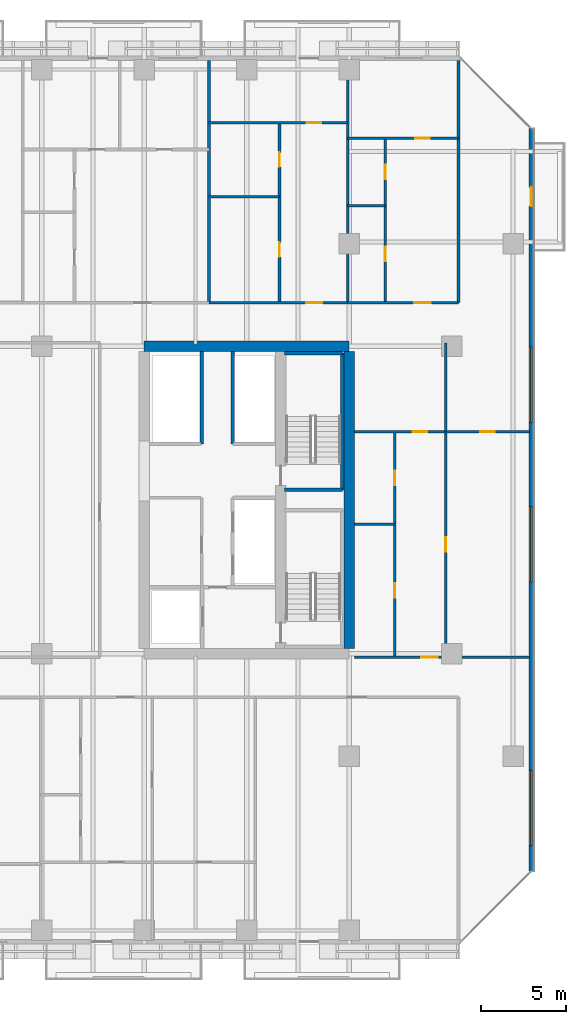
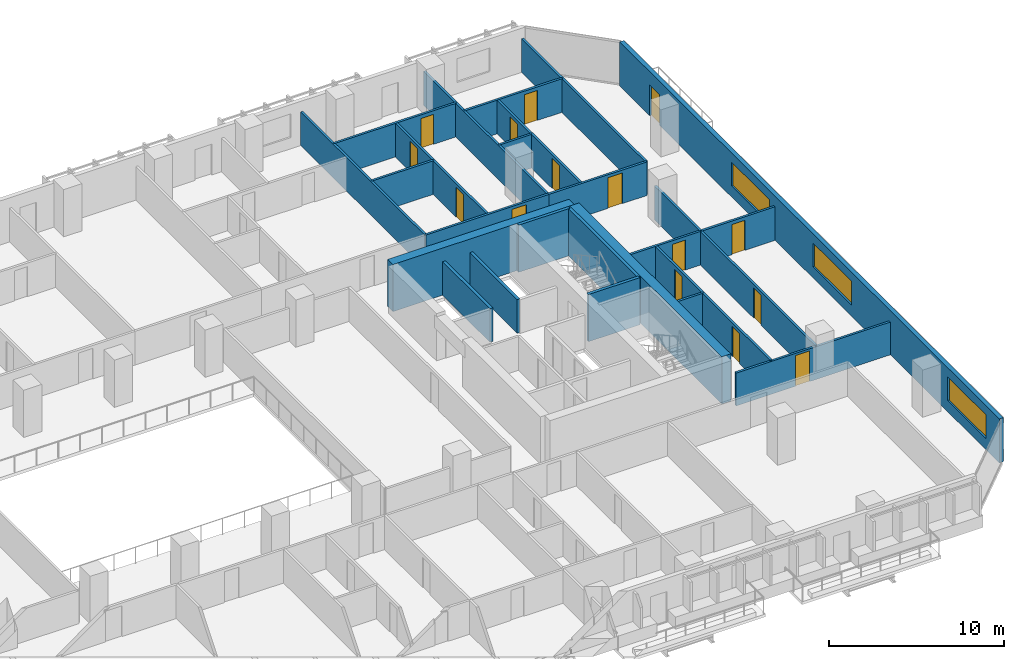
# One storey, part 23 of 33: 25 walls, 15 doors, 3 windows, 18 openings.
"""IFC4 building model written with IfcOpenShell, lengths in metres."""

from ifc_helpers import new_model, si_unit, direction, frame, frame_2d, origin, place, context, subcontext, project, spatial, rectangle, extrude, material, layer, layer_set, type_object, element, fill, save


model = new_model("IFC4")

# Units and contexts
model_context = context("Model", 3, precision=1e-05, world=origin(), true_north=direction((0.0, 1.0)))
body_context = subcontext(model_context, "Body", "Model", "MODEL_VIEW")
ifc_project = project(units=[si_unit("LENGTHUNIT", "METRE"), si_unit("AREAUNIT", "SQUARE_METRE"), si_unit("VOLUMEUNIT", "CUBIC_METRE"), si_unit("PLANEANGLEUNIT", "RADIAN"), si_unit("MASSUNIT", "GRAM", prefix="KILO")], contexts=[model_context])

# Site, building, storey
site_placement = place(None, origin())
site = spatial("IfcSite", under=ifc_project, at=site_placement, CompositionType="ELEMENT")
building_placement = place(site_placement, origin())
building = spatial("IfcBuilding", under=site, at=building_placement, Name="Tanjung Sevakor Pilgrim Tower", CompositionType="ELEMENT")
storey_placement = place(building_placement, frame((0.0, 0.0, 52.139892578125)))
storey = spatial("IfcBuildingStorey", under=building, at=storey_placement, Name="L14", CompositionType="ELEMENT", Elevation=52.139892578125)

# Walls
ifc_material_1 = material(Name="Concrete C60/75", Category="concrete")
ifc_layer_1 = layer(ifc_material_1, 0.60009765625)
ifc_layer_set_1 = layer_set([ifc_layer_1], Name="WALL-CW-600")
wall_type_1 = type_object("IfcWallType", Name="WALL-CW-600", PredefinedType="SHEAR", material=ifc_layer_set_1)
wall_1_placement = place(storey_placement, frame((90.0, 42.60009765625, 0.0), z_axis=(0.0, 0.0, 1.0), x_axis=(-1.0, 0.0, 0.0)))
element("IfcWall", 1, at=wall_1_placement, inside=storey, type_object=wall_type_1, Name="L14 E Core North Shear Wall", PredefinedType="SHEAR", context=body_context, shape_type="SweptSolid", body=[
    extrude(rectangle(XDim=12.0, YDim=0.60009765625, at=frame_2d((6.0, 0.0))), origin(), (0.0, 0.0, 1.0), 3.300048828125),
])
wall_2_placement = place(storey_placement, frame((90.0, 24.89990234375, 0.0), z_axis=(0.0, 0.0, 1.0), x_axis=(0.0, 1.0, 0.0)))
element("IfcWall", 2, at=wall_2_placement, inside=storey, type_object=wall_type_1, Name="L14 E Core Outer Shear Wall", PredefinedType="SHEAR", context=body_context, shape_type="SweptSolid", body=[
    extrude(rectangle(XDim=17.400146484375, YDim=0.60009765625, at=frame_2d((8.7001953125, 0.0))), origin(), (0.0, 0.0, 1.0), 3.300048828125),
])

# Wall, opening, door
ifc_material_2 = material(Name="Concrete C40/50", Category="concrete")
ifc_layer_2 = layer(ifc_material_2, 0.14990234375)
ifc_layer_set_2 = layer_set([ifc_layer_2], Name="WT-COMP-150")
wall_type_2 = type_object("IfcWallType", Name="WT-COMP-150", PredefinedType="SOLIDWALL", material=ifc_layer_set_2)
wall_3_placement = place(storey_placement, frame((90.320068359375, 24.39990234375, 0.0), z_axis=(0.0, 0.0, 1.0), x_axis=(1.0, 0.0, 0.0)))
wall_3 = element("IfcWall", 3, at=wall_3_placement, inside=storey, type_object=wall_type_2, Name="L14 Partition IW-L14-035", PredefinedType="SOLIDWALL", context=body_context, shape_type="SweptSolid", body=[
    extrude(rectangle(XDim=10.239990234375, YDim=0.14990234375, at=frame_2d((5.1201171875, 0.0))), origin(), (0.0, 0.0, 1.0), 2.295166015625),
])
opening_1_placement = place(wall_3_placement, frame((3.91259765625, 0.0, 0.0)))
opening_1 = element("IfcOpeningElement", 4, at=opening_1_placement, cuts=wall_3, Name="Opening ID-FD2", PredefinedType="OPENING", context=body_context, shape_type="SweptSolid", body=[
    extrude(rectangle(XDim=0.949951171875, YDim=2.14990234375, at=frame_2d((0.47509765625, 1.074951171875))), frame((0.0, 0.0849609375, 0.0), z_axis=(0.0, -1.0, 0.0), x_axis=(1.0, 0.0, 0.0)), (0.0, 0.0, 1.0), 0.169921875),
])
ifc_material_3 = material(Name="Fire-Rated Timber", Category="wood")
door_type_1 = type_object("IfcDoorType", Name="DT-FIRE-950", OperationType="NOTDEFINED", PredefinedType="DOOR", material=ifc_material_3)
door_1_placement = place(opening_1_placement, origin())
door_1 = element("IfcDoor", 5, at=door_1_placement, inside=storey, type_object=door_type_1, Name="Suite Entrance", OperationType="SINGLE_SWING_RIGHT", OverallHeight=2.14990234375, OverallWidth=0.949951171875, PredefinedType="DOOR", context=body_context, shape_type="SweptSolid", body=[
    extrude(rectangle(XDim=0.949951171875, YDim=2.14990234375, at=frame_2d((0.47509765625, 1.074951171875))), frame((0.0, 0.02490234375, 0.0), z_axis=(0.0, -1.0, 0.0), x_axis=(1.0, 0.0, 0.0)), (0.0, 0.0, 1.0), 0.050048828125),
])
fill(opening_1, door_1)

# Walls
for number, where, z_axis, x_axis, name in (
    (6, (96.39990234375, 45.14990234375, 0.0), (0.0, 0.0, 1.0), (0.0, 1.0, 0.0), "L14 Partition IW-L14-082"),
    (7, (81.794677734375, 45.14990234375, 0.0), (0.0, 0.0, 1.0), (0.0, 1.0, 0.0), "L14 Partition IW-L14-091"),
    (8, (89.90869140625, 45.14990234375, 0.0), (0.0, 0.0, 1.0), (0.0, 1.0, 0.0), "L14 Partition IW-L14-097"),
):
    element("IfcWall", number, at=place(storey_placement, frame(where, z_axis=z_axis, x_axis=x_axis)), inside=storey, type_object=wall_type_2, Name=name, PredefinedType="SOLIDWALL", context=body_context, shape_type="SweptSolid", body=[
        extrude(rectangle(XDim=14.170166015625, YDim=0.14990234375, at=frame_2d((7.0849609375, 0.0))), origin(), (0.0, 0.0, 1.0), 2.35009765625),
    ])

# Wall, opening, door
wall_4_placement = place(storey_placement, frame((81.794677734375, 45.14990234375, 0.0), z_axis=(0.0, 0.0, 1.0), x_axis=(1.0, 0.0, 0.0)))
wall_4 = element("IfcWall", 9, at=wall_4_placement, inside=storey, type_object=wall_type_2, Name="L14 Partition IW-L14-101", PredefinedType="SOLIDWALL", context=body_context, shape_type="SweptSolid", body=[
    extrude(rectangle(XDim=8.114013671875, YDim=0.14990234375, at=frame_2d((4.05712890625, 0.0))), origin(), (0.0, 0.0, 1.0), 2.35009765625),
])
opening_2_placement = place(wall_4_placement, frame((5.684814453125, 0.0, 0.0)))
opening_2 = element("IfcOpeningElement", 10, at=opening_2_placement, cuts=wall_4, Name="Opening ID-FD2", PredefinedType="OPENING", context=body_context, shape_type="SweptSolid", body=[
    extrude(rectangle(XDim=0.949951171875, YDim=2.14990234375, at=frame_2d((0.47509765625, 1.074951171875))), frame((0.0, 0.0849609375, 0.0), z_axis=(0.0, -1.0, 0.0), x_axis=(1.0, 0.0, 0.0)), (0.0, 0.0, 1.0), 0.169921875),
])
door_2_placement = place(opening_2_placement, origin())
door_2 = element("IfcDoor", 11, at=door_2_placement, inside=storey, type_object=door_type_1, Name="Residence Entrance", OperationType="SINGLE_SWING_RIGHT", OverallHeight=2.14990234375, OverallWidth=0.949951171875, PredefinedType="DOOR", context=body_context, shape_type="SweptSolid", body=[
    extrude(rectangle(XDim=0.949951171875, YDim=2.14990234375, at=frame_2d((0.47509765625, 1.074951171875))), frame((0.0, 0.02490234375, 0.0), z_axis=(0.0, -1.0, 0.0), x_axis=(1.0, 0.0, 0.0)), (0.0, 0.0, 1.0), 0.050048828125),
])
fill(opening_2, door_2)

wall_5_placement = place(storey_placement, frame((89.90869140625, 45.14990234375, 0.0), z_axis=(0.0, 0.0, 1.0), x_axis=(1.0, 0.0, 0.0)))
wall_5 = element("IfcWall", 12, at=wall_5_placement, inside=storey, type_object=wall_type_2, Name="L14 Partition IW-L14-105", PredefinedType="SOLIDWALL", context=body_context, shape_type="SweptSolid", body=[
    extrude(rectangle(XDim=6.4912109375, YDim=0.14990234375, at=frame_2d((3.24560546875, 0.0))), origin(), (0.0, 0.0, 1.0), 2.35009765625),
])
opening_3_placement = place(wall_5_placement, frame((3.9140625, 0.0, 0.0)))
opening_3 = element("IfcOpeningElement", 13, at=opening_3_placement, cuts=wall_5, Name="Opening ID-FD2", PredefinedType="OPENING", context=body_context, shape_type="SweptSolid", body=[
    extrude(rectangle(XDim=0.949951171875, YDim=2.14990234375, at=frame_2d((0.47509765625, 1.074951171875))), frame((0.0, 0.0849609375, 0.0), z_axis=(0.0, -1.0, 0.0), x_axis=(1.0, 0.0, 0.0)), (0.0, 0.0, 1.0), 0.169921875),
])
door_3_placement = place(opening_3_placement, origin())
door_3 = element("IfcDoor", 14, at=door_3_placement, inside=storey, type_object=door_type_1, Name="Residence Entrance", OperationType="SINGLE_SWING_RIGHT", OverallHeight=2.14990234375, OverallWidth=0.949951171875, PredefinedType="DOOR", context=body_context, shape_type="SweptSolid", body=[
    extrude(rectangle(XDim=0.949951171875, YDim=2.14990234375, at=frame_2d((0.47509765625, 1.074951171875))), frame((0.0, 0.02490234375, 0.0), z_axis=(0.0, -1.0, 0.0), x_axis=(1.0, 0.0, 0.0)), (0.0, 0.0, 1.0), 0.050048828125),
])
fill(opening_3, door_3)

# Wall, openings, door, windows
ifc_material_4 = material(Name="Precast concrete C45/55", Category="concrete")
ifc_layer_3 = layer(ifc_material_4, 0.280029296875)
ifc_layer_set_3 = layer_set([ifc_layer_3], Name="WT-EW-STN2")
wall_type_3 = type_object("IfcWallType", Name="WT-EW-STN2", PredefinedType="SOLIDWALL", material=ifc_layer_set_3)
wall_6_placement = place(storey_placement, frame((100.659912109375, 11.85791015625, 0.0), z_axis=(0.0, 0.0, 1.0), x_axis=(0.0, 1.0, 0.0)))
wall_6 = element("IfcWall", 15, at=wall_6_placement, inside=storey, type_object=wall_type_3, Name="L14 MAIN Exterior Wall 7", PredefinedType="SOLIDWALL", context=body_context, shape_type="SweptSolid", body=[
    extrude(rectangle(XDim=43.484130859375, YDim=0.280029296875, at=frame_2d((21.7421875, 0.0))), origin(), (0.0, 0.0, 1.0), 3.080078125),
])
opening_4_placement = place(wall_6_placement, frame((38.94189453125, 0.0, 0.0)))
opening_4 = element("IfcOpeningElement", 16, at=opening_4_placement, cuts=wall_6, Name="Opening ED-BAL-1100", PredefinedType="OPENING", context=body_context, shape_type="SweptSolid", body=[
    extrude(rectangle(XDim=1.10009765625, YDim=2.14990234375, at=frame_2d((0.550048828125, 1.074951171875))), frame((0.0, 0.14990234375, 0.0), z_axis=(0.0, -1.0, 0.0), x_axis=(1.0, 0.0, 0.0)), (0.0, 0.0, 1.0), 0.300048828125),
])
opening_5_placement = place(wall_6_placement, frame((16.951904296875, 0.0, 0.780029296875)))
opening_5 = element("IfcOpeningElement", 17, at=opening_5_placement, cuts=wall_6, Name="Opening WN-ENDW-1660", PredefinedType="OPENING", context=body_context, shape_type="SweptSolid", body=[
    extrude(rectangle(XDim=4.39990234375, YDim=1.659912109375, at=frame_2d((2.199951171875, 0.830078125))), frame((0.0, 0.14990234375, 0.0), z_axis=(0.0, -1.0, 0.0), x_axis=(1.0, 0.0, 0.0)), (0.0, 0.0, 1.0), 0.300048828125),
])
opening_6_placement = place(wall_6_placement, frame((26.2919921875, 0.0, 0.780029296875)))
opening_6 = element("IfcOpeningElement", 18, at=opening_6_placement, cuts=wall_6, Name="Opening WN-ENDW-1660", PredefinedType="OPENING", context=body_context, shape_type="SweptSolid", body=[
    extrude(rectangle(XDim=4.39990234375, YDim=1.659912109375, at=frame_2d((2.199951171875, 0.830078125))), frame((0.0, 0.14990234375, 0.0), z_axis=(0.0, -1.0, 0.0), x_axis=(1.0, 0.0, 0.0)), (0.0, 0.0, 1.0), 0.300048828125),
])
opening_7_placement = place(wall_6_placement, frame((1.510986328125, 0.0, 0.780029296875)))
opening_7 = element("IfcOpeningElement", 19, at=opening_7_placement, cuts=wall_6, Name="Opening WN-ENDW-1660", PredefinedType="OPENING", context=body_context, shape_type="SweptSolid", body=[
    extrude(rectangle(XDim=4.39990234375, YDim=1.659912109375, at=frame_2d((2.199951171875, 0.830078125))), frame((0.0, 0.14990234375, 0.0), z_axis=(0.0, -1.0, 0.0), x_axis=(1.0, 0.0, 0.0)), (0.0, 0.0, 1.0), 0.300048828125),
])
ifc_material_5 = material(Name="Anodised Aluminium and Laminated Glass", Category="aluminium")
door_type_2 = type_object("IfcDoorType", Name="DTYP-ED-BAL-1100", OperationType="NOTDEFINED", PredefinedType="DOOR", material=ifc_material_5)
door_4_placement = place(opening_4_placement, frame((1.10009765625, 0.0, 0.0), z_axis=(0.0, 0.0, 1.0), x_axis=(-1.0, 0.0, 0.0)))
door_4 = element("IfcDoor", 20, at=door_4_placement, inside=storey, type_object=door_type_2, Name="L14 East Loggia Door MAIN-E1", OperationType="SINGLE_SWING_RIGHT", OverallHeight=2.14990234375, OverallWidth=1.10009765625, PredefinedType="DOOR", context=body_context, shape_type="SweptSolid", body=[
    extrude(rectangle(XDim=1.10009765625, YDim=2.14990234375, at=frame_2d((0.550048828125, 1.074951171875))), frame((0.0, 0.02490234375, 0.0), z_axis=(0.0, -1.0, 0.0), x_axis=(1.0, 0.0, 0.0)), (0.0, 0.0, 1.0), 0.050048828125),
])
fill(opening_4, door_4)
ifc_material_6 = material(Name="Thermally Broken Aluminium and Low-E Glass", Category="aluminium")
window_type = type_object("IfcWindowType", Name="WTYP-WN-ENDW-1660", PartitioningType="DOUBLE_PANEL_VERTICAL", PredefinedType="WINDOW", material=ifc_material_6)
window_1_placement = place(opening_5_placement, origin())
window_1 = element("IfcWindow", 21, at=window_1_placement, inside=storey, type_object=window_type, Name="L14 Facade Window 01", OverallHeight=1.659912109375, OverallWidth=4.39990234375, PartitioningType="SINGLE_PANEL", PredefinedType="WINDOW", context=body_context, shape_type="SweptSolid", body=[
    extrude(rectangle(XDim=4.39990234375, YDim=1.659912109375, at=frame_2d((2.199951171875, 0.830078125))), frame((0.0, 0.030029296875, 0.0), z_axis=(0.0, -1.0, 0.0), x_axis=(1.0, 0.0, 0.0)), (0.0, 0.0, 1.0), 0.06005859375),
])
fill(opening_5, window_1)
window_2_placement = place(opening_6_placement, origin())
window_2 = element("IfcWindow", 22, at=window_2_placement, inside=storey, type_object=window_type, Name="L14 Facade Window 02", OverallHeight=1.659912109375, OverallWidth=4.39990234375, PartitioningType="SINGLE_PANEL", PredefinedType="WINDOW", context=body_context, shape_type="SweptSolid", body=[
    extrude(rectangle(XDim=4.39990234375, YDim=1.659912109375, at=frame_2d((2.199951171875, 0.830078125))), frame((0.0, 0.030029296875, 0.0), z_axis=(0.0, -1.0, 0.0), x_axis=(1.0, 0.0, 0.0)), (0.0, 0.0, 1.0), 0.06005859375),
])
fill(opening_6, window_2)
window_3_placement = place(opening_7_placement, origin())
window_3 = element("IfcWindow", 23, at=window_3_placement, inside=storey, type_object=window_type, Name="L14 Facade Window 03", OverallHeight=1.659912109375, OverallWidth=4.39990234375, PartitioningType="SINGLE_PANEL", PredefinedType="WINDOW", context=body_context, shape_type="SweptSolid", body=[
    extrude(rectangle(XDim=4.39990234375, YDim=1.659912109375, at=frame_2d((2.199951171875, 0.830078125))), frame((0.0, 0.030029296875, 0.0), z_axis=(0.0, -1.0, 0.0), x_axis=(1.0, 0.0, 0.0)), (0.0, 0.0, 1.0), 0.06005859375),
])
fill(opening_7, window_3)

# Walls
ifc_material_7 = material(Name="Concrete C40/50", Category="concrete")
ifc_layer_4 = layer(ifc_material_7, 0.199951171875)
ifc_layer_set_4 = layer_set([ifc_layer_4], Name="WT-FIRE-200")
wall_type_4 = type_object("IfcWallType", Name="WT-FIRE-200", PredefinedType="SOLIDWALL", material=ifc_layer_set_4)
wall_7_placement = place(storey_placement, frame((86.199951171875, 34.199951171875, 0.0), z_axis=(0.0, 0.0, 1.0), x_axis=(1.0, 0.0, 0.0)))
element("IfcWall", 24, at=wall_7_placement, inside=storey, type_object=wall_type_4, Name="L14 TS-E2 Shaft Wall 1", PredefinedType="SOLIDWALL", context=body_context, shape_type="SweptSolid", body=[
    extrude(rectangle(XDim=3.400146484375, YDim=0.199951171875, at=frame_2d((1.7001953125, 0.0))), origin(), (0.0, 0.0, 1.0), 3.300048828125),
])
wall_8_placement = place(storey_placement, frame((89.60009765625, 34.199951171875, 0.0), z_axis=(0.0, 0.0, 1.0), x_axis=(0.0, 1.0, 0.0)))
element("IfcWall", 25, at=wall_8_placement, inside=storey, type_object=wall_type_4, Name="L14 TS-E2 Shaft Wall 2", PredefinedType="SOLIDWALL", context=body_context, shape_type="SweptSolid", body=[
    extrude(rectangle(XDim=8.0, YDim=0.199951171875, at=frame_2d((4.0, 0.0))), origin(), (0.0, 0.0, 1.0), 3.300048828125),
])
wall_9_placement = place(storey_placement, frame((89.60009765625, 42.199951171875, 0.0), z_axis=(0.0, 0.0, 1.0), x_axis=(-1.0, 0.0, 0.0)))
element("IfcWall", 26, at=wall_9_placement, inside=storey, type_object=wall_type_4, Name="L14 TS-E2 Shaft Wall 3", PredefinedType="SOLIDWALL", context=body_context, shape_type="SweptSolid", body=[
    extrude(rectangle(XDim=3.400146484375, YDim=0.199951171875, at=frame_2d((1.7001953125, 0.0))), origin(), (0.0, 0.0, 1.0), 3.300048828125),
])
ifc_material_8 = material(Name="Concrete C40/50", Category="concrete")
ifc_layer_5 = layer(ifc_material_8, 0.199951171875)
ifc_layer_set_5 = layer_set([ifc_layer_5], Name="WT-FPRT-200")
wall_type_5 = type_object("IfcWallType", Name="WT-FPRT-200", PredefinedType="SOLIDWALL", material=ifc_layer_set_5)
for number, where, z_axis, x_axis, name in (
    (27, (83.179931640625, 36.8798828125, 0.0), (0.0, 0.0, 1.0), (0.0, 1.0, 0.0), "L14 Partition IW-L14-018"),
    (28, (81.3798828125, 36.8798828125, 0.0), (0.0, 0.0, 1.0), (0.0, 1.0, 0.0), "L14 Partition IW-L14-020"),
):
    element("IfcWall", number, at=place(storey_placement, frame(where, z_axis=z_axis, x_axis=x_axis)), inside=storey, type_object=wall_type_5, Name=name, PredefinedType="SOLIDWALL", context=body_context, shape_type="SweptSolid", body=[
        extrude(rectangle(XDim=5.420166015625, YDim=0.199951171875, at=frame_2d((2.7099609375, 0.0))), origin(), (0.0, 0.0, 1.0), 2.35009765625),
    ])

# Wall, opening, door
ifc_material_9 = material(Name="Gypsum Board Partition", Category="gypsum board")
ifc_layer_6 = layer(ifc_material_9, 0.14990234375)
ifc_layer_set_6 = layer_set([ifc_layer_6], Name="WT-PART-150")
wall_type_6 = type_object("IfcWallType", Name="WT-PART-150", PredefinedType="PARTITIONING", material=ifc_layer_set_6)
wall_10_placement = place(storey_placement, frame((95.644775390625, 24.39990234375, 0.0), z_axis=(0.0, 0.0, 1.0), x_axis=(0.0, 1.0, 0.0)))
wall_10 = element("IfcWall", 29, at=wall_10_placement, inside=storey, type_object=wall_type_6, Name="L14 Partition IW-L14-030", PredefinedType="PARTITIONING", context=body_context, shape_type="SweptSolid", body=[
    extrude(rectangle(XDim=13.2001953125, YDim=0.14990234375, at=frame_2d((6.60009765625, 0.0))), origin(), (0.0, 0.0, 1.0), 2.35009765625),
])
opening_8_placement = place(wall_10_placement, frame((6.175048828125, 0.0, 0.0)))
opening_8 = element("IfcOpeningElement", 30, at=opening_8_placement, cuts=wall_10, Name="Opening ID-WC1", PredefinedType="OPENING", context=body_context, shape_type="SweptSolid", body=[
    extrude(rectangle(XDim=0.85009765625, YDim=2.10009765625, at=frame_2d((0.425048828125, 1.050048828125))), frame((0.0, 0.0849609375, 0.0), z_axis=(0.0, -1.0, 0.0), x_axis=(1.0, 0.0, 0.0)), (0.0, 0.0, 1.0), 0.169921875),
])
ifc_material_10 = material(Name="Moisture-Resistant Timber", Category="wood")
door_type_3 = type_object("IfcDoorType", Name="DT-INT-850", OperationType="NOTDEFINED", PredefinedType="DOOR", material=ifc_material_10)
door_5_placement = place(opening_8_placement, origin())
door_5 = element("IfcDoor", 31, at=door_5_placement, inside=storey, type_object=door_type_3, Name="Suite Study Room Door", OperationType="SINGLE_SWING_LEFT", OverallHeight=2.10009765625, OverallWidth=0.85009765625, PredefinedType="DOOR", context=body_context, shape_type="SweptSolid", body=[
    extrude(rectangle(XDim=0.85009765625, YDim=2.10009765625, at=frame_2d((0.425048828125, 1.050048828125))), frame((0.0, 0.02490234375, 0.0), z_axis=(0.0, -1.0, 0.0), x_axis=(1.0, 0.0, 0.0)), (0.0, 0.0, 1.0), 0.050048828125),
])
fill(opening_8, door_5)

# Wall
wall_11_placement = place(storey_placement, frame((90.320068359375, 32.18798828125, 0.0), z_axis=(0.0, 0.0, 1.0), x_axis=(1.0, 0.0, 0.0)))
element("IfcWall", 32, at=wall_11_placement, inside=storey, type_object=wall_type_6, Name="L14 Partition IW-L14-031", PredefinedType="PARTITIONING", context=body_context, shape_type="SweptSolid", body=[
    extrude(rectangle(XDim=2.349853515625, YDim=0.14990234375, at=frame_2d((1.1748046875, 0.0))), origin(), (0.0, 0.0, 1.0), 2.35009765625),
])

# Wall, openings, doors
wall_12_placement = place(storey_placement, frame((92.669921875, 24.39990234375, 0.0), z_axis=(0.0, 0.0, 1.0), x_axis=(0.0, 1.0, 0.0)))
wall_12 = element("IfcWall", 33, at=wall_12_placement, inside=storey, type_object=wall_type_6, Name="L14 Partition IW-L14-032", PredefinedType="PARTITIONING", context=body_context, shape_type="SweptSolid", body=[
    extrude(rectangle(XDim=13.2001953125, YDim=0.14990234375, at=frame_2d((6.60009765625, 0.0))), origin(), (0.0, 0.0, 1.0), 2.35009765625),
])
opening_9_placement = place(wall_12_placement, frame((3.468994140625, 0.0, 0.0)))
opening_9 = element("IfcOpeningElement", 34, at=opening_9_placement, cuts=wall_12, Name="Opening ID-WC1", PredefinedType="OPENING", context=body_context, shape_type="SweptSolid", body=[
    extrude(rectangle(XDim=0.85009765625, YDim=2.10009765625, at=frame_2d((0.425048828125, 1.050048828125))), frame((0.0, 0.0849609375, 0.0), z_axis=(0.0, -1.0, 0.0), x_axis=(1.0, 0.0, 0.0)), (0.0, 0.0, 1.0), 0.169921875),
])
opening_10_placement = place(wall_12_placement, frame((10.069091796875, 0.0, 0.0)))
opening_10 = element("IfcOpeningElement", 35, at=opening_10_placement, cuts=wall_12, Name="Opening ID-WC1", PredefinedType="OPENING", context=body_context, shape_type="SweptSolid", body=[
    extrude(rectangle(XDim=0.85009765625, YDim=2.10009765625, at=frame_2d((0.425048828125, 1.050048828125))), frame((0.0, 0.0849609375, 0.0), z_axis=(0.0, -1.0, 0.0), x_axis=(1.0, 0.0, 0.0)), (0.0, 0.0, 1.0), 0.169921875),
])
door_6_placement = place(opening_9_placement, origin())
door_6 = element("IfcDoor", 36, at=door_6_placement, inside=storey, type_object=door_type_3, Name="Suite Kitchenette Door", OperationType="SINGLE_SWING_RIGHT", OverallHeight=2.10009765625, OverallWidth=0.85009765625, PredefinedType="DOOR", context=body_context, shape_type="SweptSolid", body=[
    extrude(rectangle(XDim=0.85009765625, YDim=2.10009765625, at=frame_2d((0.425048828125, 1.050048828125))), frame((0.0, 0.02490234375, 0.0), z_axis=(0.0, -1.0, 0.0), x_axis=(1.0, 0.0, 0.0)), (0.0, 0.0, 1.0), 0.050048828125),
])
fill(opening_9, door_6)
door_7_placement = place(opening_10_placement, origin())
door_7 = element("IfcDoor", 37, at=door_7_placement, inside=storey, type_object=door_type_3, Name="Suite Bathroom Door", OperationType="SINGLE_SWING_LEFT", OverallHeight=2.10009765625, OverallWidth=0.85009765625, PredefinedType="DOOR", context=body_context, shape_type="SweptSolid", body=[
    extrude(rectangle(XDim=0.85009765625, YDim=2.10009765625, at=frame_2d((0.425048828125, 1.050048828125))), frame((0.0, 0.02490234375, 0.0), z_axis=(0.0, -1.0, 0.0), x_axis=(1.0, 0.0, 0.0)), (0.0, 0.0, 1.0), 0.050048828125),
])
fill(opening_10, door_7)

# Wall
wall_13_placement = place(storey_placement, frame((95.644775390625, 37.60009765625, 0.0), z_axis=(0.0, 0.0, 1.0), x_axis=(0.0, 1.0, 0.0)))
element("IfcWall", 38, at=wall_13_placement, inside=storey, type_object=wall_type_6, Name="L14 Partition IW-L14-033", PredefinedType="PARTITIONING", context=body_context, shape_type="SweptSolid", body=[
    extrude(rectangle(XDim=5.199951171875, YDim=0.14990234375, at=frame_2d((2.60009765625, 0.0))), origin(), (0.0, 0.0, 1.0), 2.35009765625),
])

# Wall, openings, doors
wall_14_placement = place(storey_placement, frame((90.320068359375, 37.60009765625, 0.0), z_axis=(0.0, 0.0, 1.0), x_axis=(1.0, 0.0, 0.0)))
wall_14 = element("IfcWall", 39, at=wall_14_placement, inside=storey, type_object=wall_type_6, Name="L14 Partition IW-L14-034", PredefinedType="PARTITIONING", context=body_context, shape_type="SweptSolid", body=[
    extrude(rectangle(XDim=10.239990234375, YDim=0.14990234375, at=frame_2d((5.1201171875, 0.0))), origin(), (0.0, 0.0, 1.0), 2.35009765625),
])
opening_11_placement = place(wall_14_placement, frame((3.412353515625, 0.0, 0.0)))
opening_11 = element("IfcOpeningElement", 40, at=opening_11_placement, cuts=wall_14, Name="Opening ID-WC1", PredefinedType="OPENING", context=body_context, shape_type="SweptSolid", body=[
    extrude(rectangle(XDim=0.85009765625, YDim=2.10009765625, at=frame_2d((0.425048828125, 1.050048828125))), frame((0.0, 0.0849609375, 0.0), z_axis=(0.0, -1.0, 0.0), x_axis=(1.0, 0.0, 0.0)), (0.0, 0.0, 1.0), 0.169921875),
])
opening_12_placement = place(wall_14_placement, frame((7.357421875, 0.0, 0.0)))
opening_12 = element("IfcOpeningElement", 41, at=opening_12_placement, cuts=wall_14, Name="Opening ID-WC1", PredefinedType="OPENING", context=body_context, shape_type="SweptSolid", body=[
    extrude(rectangle(XDim=0.85009765625, YDim=2.10009765625, at=frame_2d((0.425048828125, 1.050048828125))), frame((0.0, 0.0849609375, 0.0), z_axis=(0.0, -1.0, 0.0), x_axis=(1.0, 0.0, 0.0)), (0.0, 0.0, 1.0), 0.169921875),
])
door_8_placement = place(opening_11_placement, origin())
door_8 = element("IfcDoor", 42, at=door_8_placement, inside=storey, type_object=door_type_3, Name="Suite Bedroom 1 Door", OperationType="SINGLE_SWING_RIGHT", OverallHeight=2.10009765625, OverallWidth=0.85009765625, PredefinedType="DOOR", context=body_context, shape_type="SweptSolid", body=[
    extrude(rectangle(XDim=0.85009765625, YDim=2.10009765625, at=frame_2d((0.425048828125, 1.050048828125))), frame((0.0, 0.02490234375, 0.0), z_axis=(0.0, -1.0, 0.0), x_axis=(1.0, 0.0, 0.0)), (0.0, 0.0, 1.0), 0.050048828125),
])
fill(opening_11, door_8)
door_9_placement = place(opening_12_placement, origin())
door_9 = element("IfcDoor", 43, at=door_9_placement, inside=storey, type_object=door_type_3, Name="Suite Bedroom 2 Door", OperationType="SINGLE_SWING_LEFT", OverallHeight=2.10009765625, OverallWidth=0.85009765625, PredefinedType="DOOR", context=body_context, shape_type="SweptSolid", body=[
    extrude(rectangle(XDim=0.85009765625, YDim=2.10009765625, at=frame_2d((0.425048828125, 1.050048828125))), frame((0.0, 0.02490234375, 0.0), z_axis=(0.0, -1.0, 0.0), x_axis=(1.0, 0.0, 0.0)), (0.0, 0.0, 1.0), 0.050048828125),
])
fill(opening_12, door_9)

# Wall
wall_15_placement = place(storey_placement, frame((81.794677734375, 51.365234375, 0.0), z_axis=(0.0, 0.0, 1.0), x_axis=(1.0, 0.0, 0.0)))
element("IfcWall", 44, at=wall_15_placement, inside=storey, type_object=wall_type_6, Name="L14 Partition IW-L14-098", PredefinedType="PARTITIONING", context=body_context, shape_type="SweptSolid", body=[
    extrude(rectangle(XDim=4.125244140625, YDim=0.14990234375, at=frame_2d((2.0625, 0.0))), origin(), (0.0, 0.0, 1.0), 2.35009765625),
])

# Wall, openings, doors
wall_16_placement = place(storey_placement, frame((85.919921875, 45.14990234375, 0.0), z_axis=(0.0, 0.0, 1.0), x_axis=(0.0, 1.0, 0.0)))
wall_16 = element("IfcWall", 45, at=wall_16_placement, inside=storey, type_object=wall_type_6, Name="L14 Partition IW-L14-099", PredefinedType="PARTITIONING", context=body_context, shape_type="SweptSolid", body=[
    extrude(rectangle(XDim=10.534423828125, YDim=0.14990234375, at=frame_2d((5.26708984375, 0.0))), origin(), (0.0, 0.0, 1.0), 2.35009765625),
])
opening_13_placement = place(wall_16_placement, frame((2.6826171875, 0.0, 0.0)))
opening_13 = element("IfcOpeningElement", 46, at=opening_13_placement, cuts=wall_16, Name="Opening ID-WC1", PredefinedType="OPENING", context=body_context, shape_type="SweptSolid", body=[
    extrude(rectangle(XDim=0.85009765625, YDim=2.10009765625, at=frame_2d((0.425048828125, 1.050048828125))), frame((0.0, 0.0849609375, 0.0), z_axis=(0.0, -1.0, 0.0), x_axis=(1.0, 0.0, 0.0)), (0.0, 0.0, 1.0), 0.169921875),
])
opening_14_placement = place(wall_16_placement, frame((7.94970703125, 0.0, 0.0)))
opening_14 = element("IfcOpeningElement", 47, at=opening_14_placement, cuts=wall_16, Name="Opening ID-WC1", PredefinedType="OPENING", context=body_context, shape_type="SweptSolid", body=[
    extrude(rectangle(XDim=0.85009765625, YDim=2.10009765625, at=frame_2d((0.425048828125, 1.050048828125))), frame((0.0, 0.0849609375, 0.0), z_axis=(0.0, -1.0, 0.0), x_axis=(1.0, 0.0, 0.0)), (0.0, 0.0, 1.0), 0.169921875),
])
door_10_placement = place(opening_13_placement, origin())
door_10 = element("IfcDoor", 48, at=door_10_placement, inside=storey, type_object=door_type_3, Name="Residence Kitchenette Door", OperationType="SINGLE_SWING_LEFT", OverallHeight=2.10009765625, OverallWidth=0.85009765625, PredefinedType="DOOR", context=body_context, shape_type="SweptSolid", body=[
    extrude(rectangle(XDim=0.85009765625, YDim=2.10009765625, at=frame_2d((0.425048828125, 1.050048828125))), frame((0.0, 0.02490234375, 0.0), z_axis=(0.0, -1.0, 0.0), x_axis=(1.0, 0.0, 0.0)), (0.0, 0.0, 1.0), 0.050048828125),
])
fill(opening_13, door_10)
door_11_placement = place(opening_14_placement, origin())
door_11 = element("IfcDoor", 49, at=door_11_placement, inside=storey, type_object=door_type_3, Name="Residence Bathroom Door", OperationType="SINGLE_SWING_RIGHT", OverallHeight=2.10009765625, OverallWidth=0.85009765625, PredefinedType="DOOR", context=body_context, shape_type="SweptSolid", body=[
    extrude(rectangle(XDim=0.85009765625, YDim=2.10009765625, at=frame_2d((0.425048828125, 1.050048828125))), frame((0.0, 0.02490234375, 0.0), z_axis=(0.0, -1.0, 0.0), x_axis=(1.0, 0.0, 0.0)), (0.0, 0.0, 1.0), 0.050048828125),
])
fill(opening_14, door_11)

# Wall, opening, door
wall_17_placement = place(storey_placement, frame((81.794677734375, 55.684326171875, 0.0), z_axis=(0.0, 0.0, 1.0), x_axis=(1.0, 0.0, 0.0)))
wall_17 = element("IfcWall", 50, at=wall_17_placement, inside=storey, type_object=wall_type_6, Name="L14 Partition IW-L14-100", PredefinedType="PARTITIONING", context=body_context, shape_type="SweptSolid", body=[
    extrude(rectangle(XDim=8.114013671875, YDim=0.14990234375, at=frame_2d((4.05712890625, 0.0))), origin(), (0.0, 0.0, 1.0), 2.35009765625),
])
opening_15_placement = place(wall_17_placement, frame((5.73486328125, 0.0, 0.0)))
opening_15 = element("IfcOpeningElement", 51, at=opening_15_placement, cuts=wall_17, Name="Opening ID-WC1", PredefinedType="OPENING", context=body_context, shape_type="SweptSolid", body=[
    extrude(rectangle(XDim=0.85009765625, YDim=2.10009765625, at=frame_2d((0.425048828125, 1.050048828125))), frame((0.0, 0.0849609375, 0.0), z_axis=(0.0, -1.0, 0.0), x_axis=(1.0, 0.0, 0.0)), (0.0, 0.0, 1.0), 0.169921875),
])
door_12_placement = place(opening_15_placement, origin())
door_12 = element("IfcDoor", 52, at=door_12_placement, inside=storey, type_object=door_type_3, Name="Residence Bedroom Door", OperationType="SINGLE_SWING_LEFT", OverallHeight=2.10009765625, OverallWidth=0.85009765625, PredefinedType="DOOR", context=body_context, shape_type="SweptSolid", body=[
    extrude(rectangle(XDim=0.85009765625, YDim=2.10009765625, at=frame_2d((0.425048828125, 1.050048828125))), frame((0.0, 0.02490234375, 0.0), z_axis=(0.0, -1.0, 0.0), x_axis=(1.0, 0.0, 0.0)), (0.0, 0.0, 1.0), 0.050048828125),
])
fill(opening_15, door_12)

# Wall
wall_18_placement = place(storey_placement, frame((89.90869140625, 50.8291015625, 0.0), z_axis=(0.0, 0.0, 1.0), x_axis=(1.0, 0.0, 0.0)))
element("IfcWall", 53, at=wall_18_placement, inside=storey, type_object=wall_type_6, Name="L14 Partition IW-L14-102", PredefinedType="PARTITIONING", context=body_context, shape_type="SweptSolid", body=[
    extrude(rectangle(XDim=2.20703125, YDim=0.14990234375, at=frame_2d((1.103515625, 0.0))), origin(), (0.0, 0.0, 1.0), 2.35009765625),
])

# Wall, openings, doors
wall_19_placement = place(storey_placement, frame((92.11572265625, 45.14990234375, 0.0), z_axis=(0.0, 0.0, 1.0), x_axis=(0.0, 1.0, 0.0)))
wall_19 = element("IfcWall", 54, at=wall_19_placement, inside=storey, type_object=wall_type_6, Name="L14 Partition IW-L14-103", PredefinedType="PARTITIONING", context=body_context, shape_type="SweptSolid", body=[
    extrude(rectangle(XDim=9.62548828125, YDim=0.14990234375, at=frame_2d((4.812744140625, 0.0))), origin(), (0.0, 0.0, 1.0), 2.35009765625),
])
opening_16_placement = place(wall_19_placement, frame((2.41455078125, 0.0, 0.0)))
opening_16 = element("IfcOpeningElement", 55, at=opening_16_placement, cuts=wall_19, Name="Opening ID-WC1", PredefinedType="OPENING", context=body_context, shape_type="SweptSolid", body=[
    extrude(rectangle(XDim=0.85009765625, YDim=2.10009765625, at=frame_2d((0.425048828125, 1.050048828125))), frame((0.0, 0.0849609375, 0.0), z_axis=(0.0, -1.0, 0.0), x_axis=(1.0, 0.0, 0.0)), (0.0, 0.0, 1.0), 0.169921875),
])
opening_17_placement = place(wall_19_placement, frame((7.227294921875, 0.0, 0.0)))
opening_17 = element("IfcOpeningElement", 56, at=opening_17_placement, cuts=wall_19, Name="Opening ID-WC1", PredefinedType="OPENING", context=body_context, shape_type="SweptSolid", body=[
    extrude(rectangle(XDim=0.85009765625, YDim=2.10009765625, at=frame_2d((0.425048828125, 1.050048828125))), frame((0.0, 0.0849609375, 0.0), z_axis=(0.0, -1.0, 0.0), x_axis=(1.0, 0.0, 0.0)), (0.0, 0.0, 1.0), 0.169921875),
])
door_13_placement = place(opening_16_placement, origin())
door_13 = element("IfcDoor", 57, at=door_13_placement, inside=storey, type_object=door_type_3, Name="Residence Kitchenette Door", OperationType="SINGLE_SWING_LEFT", OverallHeight=2.10009765625, OverallWidth=0.85009765625, PredefinedType="DOOR", context=body_context, shape_type="SweptSolid", body=[
    extrude(rectangle(XDim=0.85009765625, YDim=2.10009765625, at=frame_2d((0.425048828125, 1.050048828125))), frame((0.0, 0.02490234375, 0.0), z_axis=(0.0, -1.0, 0.0), x_axis=(1.0, 0.0, 0.0)), (0.0, 0.0, 1.0), 0.050048828125),
])
fill(opening_16, door_13)
door_14_placement = place(opening_17_placement, origin())
door_14 = element("IfcDoor", 58, at=door_14_placement, inside=storey, type_object=door_type_3, Name="Residence Bathroom Door", OperationType="SINGLE_SWING_RIGHT", OverallHeight=2.10009765625, OverallWidth=0.85009765625, PredefinedType="DOOR", context=body_context, shape_type="SweptSolid", body=[
    extrude(rectangle(XDim=0.85009765625, YDim=2.10009765625, at=frame_2d((0.425048828125, 1.050048828125))), frame((0.0, 0.02490234375, 0.0), z_axis=(0.0, -1.0, 0.0), x_axis=(1.0, 0.0, 0.0)), (0.0, 0.0, 1.0), 0.050048828125),
])
fill(opening_17, door_14)

# Wall, opening, door
wall_20_placement = place(storey_placement, frame((89.90869140625, 54.775390625, 0.0), z_axis=(0.0, 0.0, 1.0), x_axis=(1.0, 0.0, 0.0)))
wall_20 = element("IfcWall", 59, at=wall_20_placement, inside=storey, type_object=wall_type_6, Name="L14 Partition IW-L14-104", PredefinedType="PARTITIONING", context=body_context, shape_type="SweptSolid", body=[
    extrude(rectangle(XDim=6.4912109375, YDim=0.14990234375, at=frame_2d((3.24560546875, 0.0))), origin(), (0.0, 0.0, 1.0), 2.35009765625),
])
opening_18_placement = place(wall_20_placement, frame((3.964111328125, 0.0, 0.0)))
opening_18 = element("IfcOpeningElement", 60, at=opening_18_placement, cuts=wall_20, Name="Opening ID-WC1", PredefinedType="OPENING", context=body_context, shape_type="SweptSolid", body=[
    extrude(rectangle(XDim=0.85009765625, YDim=2.10009765625, at=frame_2d((0.425048828125, 1.050048828125))), frame((0.0, 0.0849609375, 0.0), z_axis=(0.0, -1.0, 0.0), x_axis=(1.0, 0.0, 0.0)), (0.0, 0.0, 1.0), 0.169921875),
])
door_15_placement = place(opening_18_placement, origin())
door_15 = element("IfcDoor", 61, at=door_15_placement, inside=storey, type_object=door_type_3, Name="Residence Bedroom Door", OperationType="SINGLE_SWING_LEFT", OverallHeight=2.10009765625, OverallWidth=0.85009765625, PredefinedType="DOOR", context=body_context, shape_type="SweptSolid", body=[
    extrude(rectangle(XDim=0.85009765625, YDim=2.10009765625, at=frame_2d((0.425048828125, 1.050048828125))), frame((0.0, 0.02490234375, 0.0), z_axis=(0.0, -1.0, 0.0), x_axis=(1.0, 0.0, 0.0)), (0.0, 0.0, 1.0), 0.050048828125),
])
fill(opening_18, door_15)

save(model, "model.ifc")
